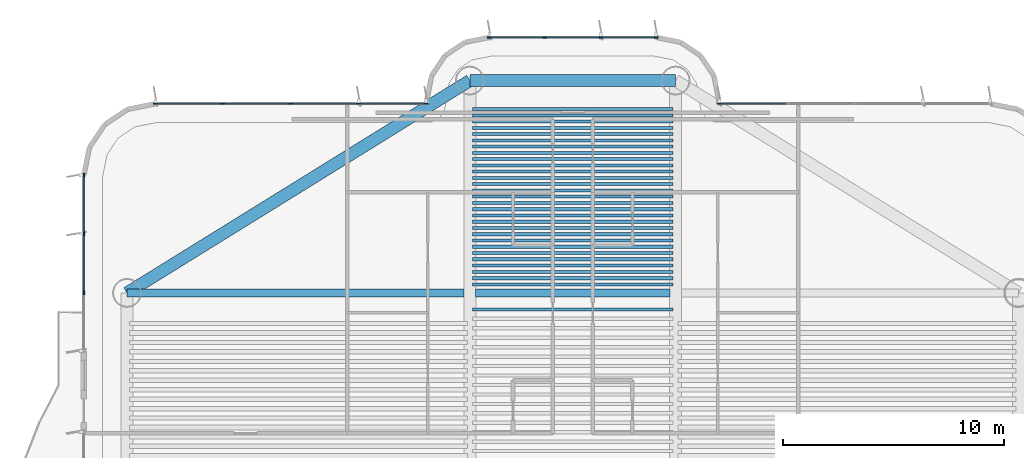
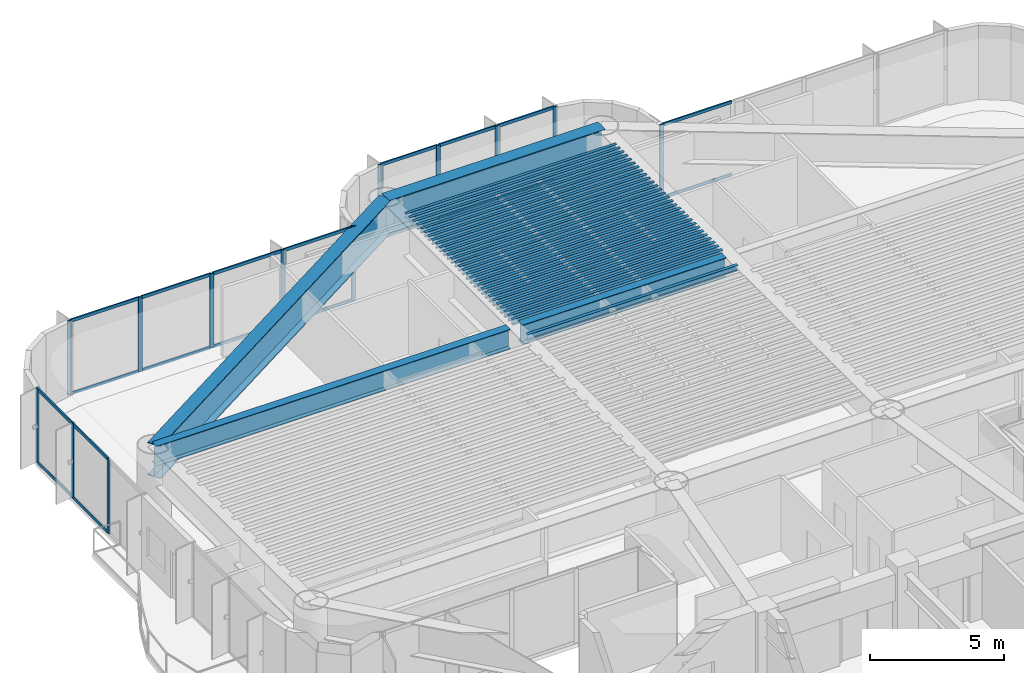
# One storey, part 5 of 15: 34 beams, 33 members, 4 elements without a shape of their own.
"""IFC4 building model written with IfcOpenShell, lengths in metres."""

from ifc_helpers import new_model, si_unit, direction, frame, origin, origin_2d, place, context, subcontext, project, spatial, rectangle, i_section, extrude, source, transform, mapped, material, layer, layer_set, material_profile, profile_set, type_object, element, aggregate, save


model = new_model("IFC4")

# Units and contexts
model_context = context("Model", 3, precision=1e-05, world=origin(), true_north=direction((0.0, 1.0)))
body_context = subcontext(model_context, "Body", "Model", "MODEL_VIEW")
ifc_project = project(units=[si_unit("LENGTHUNIT", "METRE"), si_unit("AREAUNIT", "SQUARE_METRE"), si_unit("VOLUMEUNIT", "CUBIC_METRE"), si_unit("PLANEANGLEUNIT", "RADIAN"), si_unit("MASSUNIT", "GRAM", prefix="KILO")], contexts=[model_context])

# Site, building, storey
site_placement = place(None, origin())
site = spatial("IfcSite", under=ifc_project, at=site_placement, CompositionType="ELEMENT")
building_placement = place(site_placement, origin())
building = spatial("IfcBuilding", under=site, at=building_placement, Name="Brelvock Crest Care Tower", CompositionType="ELEMENT")
storey_placement = place(building_placement, frame((0.0, 0.0, 142.739990234375)))
storey = spatial("IfcBuildingStorey", under=building, at=storey_placement, Name="L36", CompositionType="ELEMENT", Elevation=142.739990234375)

# Beams
ifc_material_1 = material(Name="Steel Grade 350", Category="steel")
ifc_material_profile_1 = material_profile(ifc_material_1, i_section(OverallWidth=0.14599609375, OverallDepth=0.256103515625, WebThickness=0.00634765625, FlangeThickness=0.010986328125, FilletRadius=0.0087890625, at=origin_2d()), Name="250UB37.3")
ifc_profile_set_1 = profile_set([ifc_material_profile_1], Name="Steel Grade 350")
beam_type_1 = type_object("IfcBeamType", Name="BM-J3", PredefinedType="JOIST", material=ifc_profile_set_1)
shared_shape_1 = source(origin(), body_context, "Body", "SweptSolid", [
    extrude(i_section(OverallWidth=0.14599609375, OverallDepth=0.256103515625, WebThickness=0.00634765625, FlangeThickness=0.010986328125, FilletRadius=0.0087890625, at=origin_2d()), origin(), (0.0, 0.0, 1.0), 9.06982421875),
])
for number, where, z_axis, x_axis, name in (
    (1, (31.465087890625, 38.10400390625, 3.243896484375), (1.0, 0.0, 0.0), (0.0, 1.0, 0.0), "BM-JH-L36-25"),
    (2, (31.465087890625, 39.23388671875, 3.243896484375), (1.0, 0.0, 0.0), (0.0, 1.0, 0.0), "BM-JN-L36-1"),
    (3, (31.465087890625, 39.51708984375, 3.243896484375), (1.0, 0.0, 0.0), (0.0, 1.0, 0.0), "BM-JN-L36-2"),
    (4, (31.465087890625, 39.80029296875, 3.243896484375), (1.0, 0.0, 0.0), (0.0, 1.0, 0.0), "BM-JN-L36-3"),
    (5, (31.465087890625, 40.08349609375, 3.243896484375), (1.0, 0.0, 0.0), (0.0, 1.0, 0.0), "BM-JN-L36-4"),
    (6, (31.465087890625, 40.36669921875, 3.243896484375), (1.0, 0.0, 0.0), (0.0, 1.0, 0.0), "BM-JN-L36-5"),
    (7, (31.465087890625, 40.64990234375, 3.243896484375), (1.0, 0.0, 0.0), (0.0, 1.0, 0.0), "BM-JN-L36-6"),
    (8, (31.465087890625, 40.93310546875, 3.243896484375), (1.0, 0.0, 0.0), (0.0, 1.0, 0.0), "BM-JN-L36-7"),
    (9, (31.465087890625, 41.21630859375, 3.243896484375), (1.0, 0.0, 0.0), (0.0, 1.0, 0.0), "BM-JN-L36-8"),
    (10, (31.465087890625, 41.49951171875, 3.243896484375), (1.0, 0.0, 0.0), (0.0, 1.0, 0.0), "BM-JN-L36-9"),
    (11, (31.465087890625, 41.78271484375, 3.243896484375), (1.0, 0.0, 0.0), (0.0, 1.0, 0.0), "BM-JN-L36-10"),
    (12, (31.465087890625, 42.06591796875, 3.243896484375), (1.0, 0.0, 0.0), (0.0, 1.0, 0.0), "BM-JN-L36-11"),
    (13, (31.465087890625, 42.34912109375, 3.243896484375), (1.0, 0.0, 0.0), (0.0, 1.0, 0.0), "BM-JN-L36-12"),
    (14, (31.465087890625, 42.63232421875, 3.243896484375), (1.0, 0.0, 0.0), (0.0, 1.0, 0.0), "BM-JN-L36-13"),
):
    element("IfcBeam", number, at=place(storey_placement, frame(where, z_axis=z_axis, x_axis=x_axis)), inside=storey, type_object=beam_type_1, Name=name, PredefinedType="JOIST", context=body_context, shape_type="MappedRepresentation", body=[
        mapped(shared_shape_1, transform((0.0, 0.0, 0.0), x_axis=(1.0, 0.0, 0.0), y_axis=(0.0, 1.0, 0.0), z_axis=(0.0, 0.0, 1.0), scale=1.0)),
    ])
ifc_material_profile_2 = material_profile(ifc_material_1, i_section(OverallWidth=0.134033203125, OverallDepth=0.20703125, WebThickness=0.00634765625, FlangeThickness=0.009521484375, FilletRadius=0.0087890625, at=origin_2d()), Name="200UB29.8")
ifc_profile_set_2 = profile_set([ifc_material_profile_2], Name="Steel Grade 350")
beam_type_2 = type_object("IfcBeamType", Name="BM-J4", PredefinedType="JOIST", material=ifc_profile_set_2)
shared_shape_2 = source(origin(), body_context, "Body", "SweptSolid", [
    extrude(i_section(OverallWidth=0.134033203125, OverallDepth=0.20703125, WebThickness=0.00634765625, FlangeThickness=0.009521484375, FilletRadius=0.0087890625, at=origin_2d()), origin(), (0.0, 0.0, 1.0), 9.06982421875),
])
for number, where, z_axis, x_axis, name in (
    (15, (31.465087890625, 42.91552734375, 3.2685546875), (1.0, 0.0, 0.0), (0.0, 1.0, 0.0), "BM-JN-L36-14"),
    (16, (31.465087890625, 43.19873046875, 3.2685546875), (1.0, 0.0, 0.0), (0.0, 1.0, 0.0), "BM-JN-L36-15"),
    (17, (31.465087890625, 43.48193359375, 3.2685546875), (1.0, 0.0, 0.0), (0.0, 1.0, 0.0), "BM-JN-L36-16"),
    (18, (31.465087890625, 43.76513671875, 3.2685546875), (1.0, 0.0, 0.0), (0.0, 1.0, 0.0), "BM-JN-L36-17"),
    (19, (31.465087890625, 44.04833984375, 3.2685546875), (1.0, 0.0, 0.0), (0.0, 1.0, 0.0), "BM-JN-L36-18"),
    (20, (31.465087890625, 44.33154296875, 3.2685546875), (1.0, 0.0, 0.0), (0.0, 1.0, 0.0), "BM-JN-L36-19"),
    (21, (31.465087890625, 44.61474609375, 3.2685546875), (1.0, 0.0, 0.0), (0.0, 1.0, 0.0), "BM-JN-L36-20"),
    (22, (31.465087890625, 44.89794921875, 3.2685546875), (1.0, 0.0, 0.0), (0.0, 1.0, 0.0), "BM-JN-L36-21"),
    (23, (31.465087890625, 45.18115234375, 3.2685546875), (1.0, 0.0, 0.0), (0.0, 1.0, 0.0), "BM-JN-L36-22"),
    (24, (31.465087890625, 45.46435546875, 3.2685546875), (1.0, 0.0, 0.0), (0.0, 1.0, 0.0), "BM-JN-L36-23"),
    (25, (31.465087890625, 45.74755859375, 3.2685546875), (1.0, 0.0, 0.0), (0.0, 1.0, 0.0), "BM-JN-L36-24"),
    (26, (31.465087890625, 46.03076171875, 3.2685546875), (1.0, 0.0, 0.0), (0.0, 1.0, 0.0), "BM-JN-L36-25"),
    (27, (31.465087890625, 46.31396484375, 3.2685546875), (1.0, 0.0, 0.0), (0.0, 1.0, 0.0), "BM-JN-L36-26"),
    (28, (31.465087890625, 46.59716796875, 3.2685546875), (1.0, 0.0, 0.0), (0.0, 1.0, 0.0), "BM-JN-L36-27"),
    (29, (31.465087890625, 46.88037109375, 3.2685546875), (1.0, 0.0, 0.0), (0.0, 1.0, 0.0), "BM-JN-L36-28"),
    (30, (31.465087890625, 47.16357421875, 3.2685546875), (1.0, 0.0, 0.0), (0.0, 1.0, 0.0), "BM-JN-L36-29"),
):
    element("IfcBeam", number, at=place(storey_placement, frame(where, z_axis=z_axis, x_axis=x_axis)), inside=storey, type_object=beam_type_2, Name=name, PredefinedType="JOIST", context=body_context, shape_type="MappedRepresentation", body=[
        mapped(shared_shape_2, transform((0.0, 0.0, 0.0), x_axis=(1.0, 0.0, 0.0), y_axis=(0.0, 1.0, 0.0), z_axis=(0.0, 0.0, 1.0), scale=1.0)),
    ])
ifc_material_profile_3 = material_profile(ifc_material_1, i_section(OverallWidth=0.550048828125, OverallDepth=1.5, WebThickness=0.02392578125, FlangeThickness=0.044921875, at=origin_2d()), Name="1500TG580")
ifc_profile_set_3 = profile_set([ifc_material_profile_3], Name="Steel Grade 350")
beam_type_3 = type_object("IfcBeamType", Name="BM-TG2", PredefinedType="USERDEFINED", material=ifc_profile_set_3)
shared_shape_3 = source(origin(), body_context, "Body", "SweptSolid", [
    extrude(i_section(OverallWidth=0.550048828125, OverallDepth=1.5, WebThickness=0.02392578125, FlangeThickness=0.044921875, at=origin_2d()), origin(), (0.0, 0.0, 1.0), 9.2998046875),
])
beam_1_placement = place(storey_placement, frame((31.35009765625, 48.449951171875, 2.6220703125), z_axis=(1.0, 0.0, 0.0), x_axis=(0.0, 1.0, 0.0)))
element("IfcBeam", 31, at=beam_1_placement, inside=storey, type_object=beam_type_3, Name="BM-TWR-L36-08", ObjectType="GIRDER", PredefinedType="USERDEFINED", context=body_context, shape_type="MappedRepresentation", body=[
    mapped(shared_shape_3, transform((0.0, 0.0, 0.0), x_axis=(1.0, 0.0, 0.0), y_axis=(0.0, 1.0, 0.0), z_axis=(0.0, 0.0, 1.0), scale=1.0)),
])
ifc_material_profile_4 = material_profile(ifc_material_1, i_section(OverallWidth=0.35009765625, OverallDepth=0.89990234375, WebThickness=0.01611328125, FlangeThickness=0.028076171875, at=origin_2d()), Name="900WB257")
ifc_profile_set_4 = profile_set([ifc_material_profile_4], Name="Steel Grade 350")
beam_type_4 = type_object("IfcBeamType", Name="BM-G6", PredefinedType="BEAM", material=ifc_profile_set_4)
shared_shape_4 = source(origin(), body_context, "Body", "SweptSolid", [
    extrude(i_section(OverallWidth=0.35009765625, OverallDepth=0.89990234375, WebThickness=0.01611328125, FlangeThickness=0.028076171875, at=origin_2d()), origin(), (0.0, 0.0, 1.0), 8.77978515625),
])
beam_2_placement = place(storey_placement, frame((31.610107421875, 38.85009765625, 2.922119140625), z_axis=(1.0, 0.0, 0.0), x_axis=(0.0, 1.0, 0.0)))
element("IfcBeam", 32, at=beam_2_placement, inside=storey, type_object=beam_type_4, Name="BM-TIE-L36-C", PredefinedType="BEAM", context=body_context, shape_type="MappedRepresentation", body=[
    mapped(shared_shape_4, transform((0.0, 0.0, 0.0), x_axis=(1.0, 0.0, 0.0), y_axis=(0.0, 1.0, 0.0), z_axis=(0.0, 0.0, 1.0), scale=1.0)),
])
shared_shape_5 = source(origin(), body_context, "Body", "SweptSolid", [
    extrude(i_section(OverallWidth=0.35009765625, OverallDepth=0.89990234375, WebThickness=0.01611328125, FlangeThickness=0.028076171875, at=origin_2d()), origin(), (0.0, 0.0, 1.0), 15.239990234375),
])
beam_3_placement = place(storey_placement, frame((15.85009765625, 38.85009765625, 2.922119140625), z_axis=(1.0, 0.0, 0.0), x_axis=(0.0, 1.0, 0.0)))
element("IfcBeam", 33, at=beam_3_placement, inside=storey, type_object=beam_type_4, Name="BM-TIE-L36-W", PredefinedType="BEAM", context=body_context, shape_type="MappedRepresentation", body=[
    mapped(shared_shape_5, transform((0.0, 0.0, 0.0), x_axis=(1.0, 0.0, 0.0), y_axis=(0.0, 1.0, 0.0), z_axis=(0.0, 0.0, 1.0), scale=1.0)),
])
shared_shape_6 = source(origin(), body_context, "Body", "SweptSolid", [
    extrude(i_section(OverallWidth=0.550048828125, OverallDepth=1.5, WebThickness=0.02392578125, FlangeThickness=0.044921875, at=origin_2d()), origin(), (0.0, 0.0, 1.0), 18.23193359375),
])
beam_4_placement = place(storey_placement, frame((15.85009765625, 38.85009765625, 2.6220703125), z_axis=(0.85015183248, 0.526537616635, 0.0), x_axis=(-0.526537616635, 0.85015183248, 0.0)))
element("IfcBeam", 34, at=beam_4_placement, inside=storey, type_object=beam_type_3, Name="BM-TWR-L36-06", ObjectType="GIRDER", PredefinedType="USERDEFINED", context=body_context, shape_type="MappedRepresentation", body=[
    mapped(shared_shape_6, transform((0.0, 0.0, 0.0), x_axis=(1.0, 0.0, 0.0), y_axis=(0.0, 1.0, 0.0), z_axis=(0.0, 0.0, 1.0), scale=1.0)),
])

# Curtain wall, members
ifc_material_2 = material(Name="Dark Glass Double Glazed Low-E", Category="glass")
ifc_layer = layer(ifc_material_2, 0.2099609375, Name="CWS-3")
ifc_layer_set = layer_set([ifc_layer], Name="Dark Glass Double Glazed Low-E")
curtain_wall_type = type_object("IfcCurtainWallType", Name="CWS-3", PredefinedType="NOTDEFINED", material=ifc_layer_set)
curtain_wall_1_placement = place(storey_placement, origin())
curtain_wall_1 = element("IfcCurtainWall", 35, at=curtain_wall_1_placement, inside=storey, type_object=curtain_wall_type, Name="L36 Curtain Wall E22", PredefinedType="NOTDEFINED")
ifc_material_3 = material(Name="Aluminium 6063-T6", Category="aluminium")
ifc_material_profile_5 = material_profile(ifc_material_3, rectangle(XDim=0.06005859375, YDim=0.139892578125, at=origin_2d()), Name="ALU60x140")
ifc_profile_set_5 = profile_set([ifc_material_profile_5], Name="Aluminium 6063-T6")
member_type_1 = type_object("IfcMemberType", Name="CWT-2", PredefinedType="USERDEFINED", material=ifc_profile_set_5)
shared_shape_7 = source(origin(), body_context, "Body", "SweptSolid", [
    extrude(rectangle(XDim=0.06005859375, YDim=0.139892578125, at=origin_2d()), origin(), (0.0, 0.0, 1.0), 2.985107421875),
])
member_1_placement = place(storey_placement, frame((17.159912109375, 47.39990234375, 0.030029296875), z_axis=(1.0, 0.0, 0.0), x_axis=(0.0, 1.0, 0.0)))
member_1 = element("IfcMember", 36, at=member_1_placement, type_object=member_type_1, Name="CW-3 transom 1.1", ObjectType="TRANSOM", PredefinedType="USERDEFINED", context=body_context, shape_type="MappedRepresentation", body=[
    mapped(shared_shape_7, transform((0.0, 0.0, 0.0), x_axis=(1.0, 0.0, 0.0), y_axis=(0.0, 1.0, 0.0), z_axis=(0.0, 0.0, 1.0), scale=1.0)),
])
member_2_placement = place(storey_placement, frame((17.159912109375, 47.39990234375, 3.342041015625), z_axis=(1.0, 0.0, 0.0), x_axis=(0.0, 1.0, 0.0)))
member_2 = element("IfcMember", 37, at=member_2_placement, type_object=member_type_1, Name="CW-3 transom 1.2", ObjectType="TRANSOM", PredefinedType="USERDEFINED", context=body_context, shape_type="MappedRepresentation", body=[
    mapped(shared_shape_7, transform((0.0, 0.0, 0.0), x_axis=(1.0, 0.0, 0.0), y_axis=(0.0, 1.0, 0.0), z_axis=(0.0, 0.0, 1.0), scale=1.0)),
])
member_3_placement = place(storey_placement, frame((26.35498046875, 47.39990234375, 0.030029296875), z_axis=(1.0, 0.0, 0.0), x_axis=(0.0, 1.0, 0.0)))
member_3 = element("IfcMember", 38, at=member_3_placement, type_object=member_type_1, Name="CW-3 transom 4.1", ObjectType="TRANSOM", PredefinedType="USERDEFINED", context=body_context, shape_type="MappedRepresentation", body=[
    mapped(shared_shape_7, transform((0.0, 0.0, 0.0), x_axis=(1.0, 0.0, 0.0), y_axis=(0.0, 1.0, 0.0), z_axis=(0.0, 0.0, 1.0), scale=1.0)),
])
member_4_placement = place(storey_placement, frame((26.35498046875, 47.39990234375, 3.342041015625), z_axis=(1.0, 0.0, 0.0), x_axis=(0.0, 1.0, 0.0)))
member_4 = element("IfcMember", 39, at=member_4_placement, type_object=member_type_1, Name="CW-3 transom 4.2", ObjectType="TRANSOM", PredefinedType="USERDEFINED", context=body_context, shape_type="MappedRepresentation", body=[
    mapped(shared_shape_7, transform((0.0, 0.0, 0.0), x_axis=(1.0, 0.0, 0.0), y_axis=(0.0, 1.0, 0.0), z_axis=(0.0, 0.0, 1.0), scale=1.0)),
])

curtain_wall_2_placement = place(storey_placement, origin())
curtain_wall_2 = element("IfcCurtainWall", 40, at=curtain_wall_2_placement, inside=storey, type_object=curtain_wall_type, Name="L36 Curtain Wall E34", PredefinedType="NOTDEFINED")
member_5_placement = place(storey_placement, frame((42.659912109375, 47.39990234375, 0.030029296875), z_axis=(1.0, 0.0, 0.0), x_axis=(0.0, 1.0, 0.0)))
member_5 = element("IfcMember", 41, at=member_5_placement, type_object=member_type_1, Name="CW-3 transom 1.1", ObjectType="TRANSOM", PredefinedType="USERDEFINED", context=body_context, shape_type="MappedRepresentation", body=[
    mapped(shared_shape_7, transform((0.0, 0.0, 0.0), x_axis=(1.0, 0.0, 0.0), y_axis=(0.0, 1.0, 0.0), z_axis=(0.0, 0.0, 1.0), scale=1.0)),
])
member_6_placement = place(storey_placement, frame((42.659912109375, 47.39990234375, 3.342041015625), z_axis=(1.0, 0.0, 0.0), x_axis=(0.0, 1.0, 0.0)))
member_6 = element("IfcMember", 42, at=member_6_placement, type_object=member_type_1, Name="CW-3 transom 1.2", ObjectType="TRANSOM", PredefinedType="USERDEFINED", context=body_context, shape_type="MappedRepresentation", body=[
    mapped(shared_shape_7, transform((0.0, 0.0, 0.0), x_axis=(1.0, 0.0, 0.0), y_axis=(0.0, 1.0, 0.0), z_axis=(0.0, 0.0, 1.0), scale=1.0)),
])

# Member
shared_shape_8 = source(origin(), body_context, "Body", "SweptSolid", [
    extrude(rectangle(XDim=0.06005859375, YDim=0.139892578125, at=origin_2d()), origin(), (0.0, 0.0, 1.0), 3.014892578125),
])
member_7_placement = place(storey_placement, frame((20.205078125, 47.39990234375, 0.030029296875), z_axis=(1.0, 0.0, 0.0), x_axis=(0.0, 1.0, 0.0)))
member_7 = element("IfcMember", 43, at=member_7_placement, type_object=member_type_1, Name="CW-3 transom 2.1", ObjectType="TRANSOM", PredefinedType="USERDEFINED", context=body_context, shape_type="MappedRepresentation", body=[
    mapped(shared_shape_8, transform((0.0, 0.0, 0.0), x_axis=(1.0, 0.0, 0.0), y_axis=(0.0, 1.0, 0.0), z_axis=(0.0, 0.0, 1.0), scale=1.0)),
])

member_8_placement = place(storey_placement, frame((20.205078125, 47.39990234375, 3.342041015625), z_axis=(1.0, 0.0, 0.0), x_axis=(0.0, 1.0, 0.0)))
member_8 = element("IfcMember", 44, at=member_8_placement, type_object=member_type_1, Name="CW-3 transom 2.2", ObjectType="TRANSOM", PredefinedType="USERDEFINED", context=body_context, shape_type="MappedRepresentation", body=[
    mapped(shared_shape_8, transform((0.0, 0.0, 0.0), x_axis=(1.0, 0.0, 0.0), y_axis=(0.0, 1.0, 0.0), z_axis=(0.0, 0.0, 1.0), scale=1.0)),
])

member_9_placement = place(storey_placement, frame((23.280029296875, 47.39990234375, 0.030029296875), z_axis=(1.0, 0.0, 0.0), x_axis=(0.0, 1.0, 0.0)))
member_9 = element("IfcMember", 45, at=member_9_placement, type_object=member_type_1, Name="CW-3 transom 3.1", ObjectType="TRANSOM", PredefinedType="USERDEFINED", context=body_context, shape_type="MappedRepresentation", body=[
    mapped(shared_shape_8, transform((0.0, 0.0, 0.0), x_axis=(1.0, 0.0, 0.0), y_axis=(0.0, 1.0, 0.0), z_axis=(0.0, 0.0, 1.0), scale=1.0)),
])

member_10_placement = place(storey_placement, frame((23.280029296875, 47.39990234375, 3.342041015625), z_axis=(1.0, 0.0, 0.0), x_axis=(0.0, 1.0, 0.0)))
member_10 = element("IfcMember", 46, at=member_10_placement, type_object=member_type_1, Name="CW-3 transom 3.2", ObjectType="TRANSOM", PredefinedType="USERDEFINED", context=body_context, shape_type="MappedRepresentation", body=[
    mapped(shared_shape_8, transform((0.0, 0.0, 0.0), x_axis=(1.0, 0.0, 0.0), y_axis=(0.0, 1.0, 0.0), z_axis=(0.0, 0.0, 1.0), scale=1.0)),
])

# Curtain wall, members
curtain_wall_3_placement = place(storey_placement, origin())
curtain_wall_3 = element("IfcCurtainWall", 47, at=curtain_wall_3_placement, inside=storey, type_object=curtain_wall_type, Name="L36 Curtain Wall E28", PredefinedType="NOTDEFINED")
shared_shape_9 = source(origin(), body_context, "Body", "SweptSolid", [
    extrude(rectangle(XDim=0.06005859375, YDim=0.139892578125, at=origin_2d()), origin(), (0.0, 0.0, 1.0), 2.443359375),
])
member_11_placement = place(storey_placement, frame((32.260009765625, 50.39990234375, 0.030029296875), z_axis=(1.0, 0.0, 0.0), x_axis=(0.0, 1.0, 0.0)))
member_11 = element("IfcMember", 48, at=member_11_placement, type_object=member_type_1, Name="CW-3 transom 1.1", ObjectType="TRANSOM", PredefinedType="USERDEFINED", context=body_context, shape_type="MappedRepresentation", body=[
    mapped(shared_shape_9, transform((0.0, 0.0, 0.0), x_axis=(1.0, 0.0, 0.0), y_axis=(0.0, 1.0, 0.0), z_axis=(0.0, 0.0, 1.0), scale=1.0)),
])
member_12_placement = place(storey_placement, frame((32.260009765625, 50.39990234375, 3.342041015625), z_axis=(1.0, 0.0, 0.0), x_axis=(0.0, 1.0, 0.0)))
member_12 = element("IfcMember", 49, at=member_12_placement, type_object=member_type_1, Name="CW-3 transom 1.2", ObjectType="TRANSOM", PredefinedType="USERDEFINED", context=body_context, shape_type="MappedRepresentation", body=[
    mapped(shared_shape_9, transform((0.0, 0.0, 0.0), x_axis=(1.0, 0.0, 0.0), y_axis=(0.0, 1.0, 0.0), z_axis=(0.0, 0.0, 1.0), scale=1.0)),
])
member_13_placement = place(storey_placement, frame((37.296630859375, 50.39990234375, 0.030029296875), z_axis=(1.0, 0.0, 0.0), x_axis=(0.0, 1.0, 0.0)))
member_13 = element("IfcMember", 50, at=member_13_placement, type_object=member_type_1, Name="CW-3 transom 3.1", ObjectType="TRANSOM", PredefinedType="USERDEFINED", context=body_context, shape_type="MappedRepresentation", body=[
    mapped(shared_shape_9, transform((0.0, 0.0, 0.0), x_axis=(1.0, 0.0, 0.0), y_axis=(0.0, 1.0, 0.0), z_axis=(0.0, 0.0, 1.0), scale=1.0)),
])
member_14_placement = place(storey_placement, frame((37.296630859375, 50.39990234375, 3.342041015625), z_axis=(1.0, 0.0, 0.0), x_axis=(0.0, 1.0, 0.0)))
member_14 = element("IfcMember", 51, at=member_14_placement, type_object=member_type_1, Name="CW-3 transom 3.2", ObjectType="TRANSOM", PredefinedType="USERDEFINED", context=body_context, shape_type="MappedRepresentation", body=[
    mapped(shared_shape_9, transform((0.0, 0.0, 0.0), x_axis=(1.0, 0.0, 0.0), y_axis=(0.0, 1.0, 0.0), z_axis=(0.0, 0.0, 1.0), scale=1.0)),
])
shared_shape_10 = source(origin(), body_context, "Body", "SweptSolid", [
    extrude(rectangle(XDim=0.06005859375, YDim=0.139892578125, at=origin_2d()), origin(), (0.0, 0.0, 1.0), 2.47314453125),
])
member_15_placement = place(storey_placement, frame((34.763427734375, 50.39990234375, 0.030029296875), z_axis=(1.0, 0.0, 0.0), x_axis=(0.0, 1.0, 0.0)))
member_15 = element("IfcMember", 52, at=member_15_placement, type_object=member_type_1, Name="CW-3 transom 2.1", ObjectType="TRANSOM", PredefinedType="USERDEFINED", context=body_context, shape_type="MappedRepresentation", body=[
    mapped(shared_shape_10, transform((0.0, 0.0, 0.0), x_axis=(1.0, 0.0, 0.0), y_axis=(0.0, 1.0, 0.0), z_axis=(0.0, 0.0, 1.0), scale=1.0)),
])
member_16_placement = place(storey_placement, frame((34.763427734375, 50.39990234375, 3.342041015625), z_axis=(1.0, 0.0, 0.0), x_axis=(0.0, 1.0, 0.0)))
member_16 = element("IfcMember", 53, at=member_16_placement, type_object=member_type_1, Name="CW-3 transom 2.2", ObjectType="TRANSOM", PredefinedType="USERDEFINED", context=body_context, shape_type="MappedRepresentation", body=[
    mapped(shared_shape_10, transform((0.0, 0.0, 0.0), x_axis=(1.0, 0.0, 0.0), y_axis=(0.0, 1.0, 0.0), z_axis=(0.0, 0.0, 1.0), scale=1.0)),
])

curtain_wall_4_placement = place(storey_placement, origin())
curtain_wall_4 = element("IfcCurtainWall", 54, at=curtain_wall_4_placement, inside=storey, type_object=curtain_wall_type, Name="L36 Curtain Wall E17B", PredefinedType="NOTDEFINED")
shared_shape_11 = source(origin(), body_context, "Body", "SweptSolid", [
    extrude(rectangle(XDim=0.06005859375, YDim=0.139892578125, at=origin_2d()), origin(), (0.0, 0.0, 1.0), 2.57666015625),
])
member_17_placement = place(storey_placement, frame((13.89990234375, 41.563232421875, 0.030029296875), z_axis=(0.0, 1.0, 0.0), x_axis=(-1.0, 0.0, 0.0)))
member_17 = element("IfcMember", 55, at=member_17_placement, type_object=member_type_1, Name="CW-3 transom 3.1", ObjectType="TRANSOM", PredefinedType="USERDEFINED", context=body_context, shape_type="MappedRepresentation", body=[
    mapped(shared_shape_11, transform((0.0, 0.0, 0.0), x_axis=(1.0, 0.0, 0.0), y_axis=(0.0, 1.0, 0.0), z_axis=(0.0, 0.0, 1.0), scale=1.0)),
])
member_18_placement = place(storey_placement, frame((13.89990234375, 41.563232421875, 3.342041015625), z_axis=(0.0, 1.0, 0.0), x_axis=(-1.0, 0.0, 0.0)))
member_18 = element("IfcMember", 56, at=member_18_placement, type_object=member_type_1, Name="CW-3 transom 3.2", ObjectType="TRANSOM", PredefinedType="USERDEFINED", context=body_context, shape_type="MappedRepresentation", body=[
    mapped(shared_shape_11, transform((0.0, 0.0, 0.0), x_axis=(1.0, 0.0, 0.0), y_axis=(0.0, 1.0, 0.0), z_axis=(0.0, 0.0, 1.0), scale=1.0)),
])
shared_shape_12 = source(origin(), body_context, "Body", "SweptSolid", [
    extrude(rectangle(XDim=0.06005859375, YDim=0.139892578125, at=origin_2d()), origin(), (0.0, 0.0, 1.0), 2.606689453125),
])
member_19_placement = place(storey_placement, frame((13.89990234375, 38.896728515625, 0.030029296875), z_axis=(0.0, 1.0, 0.0), x_axis=(-1.0, 0.0, 0.0)))
member_19 = element("IfcMember", 57, at=member_19_placement, type_object=member_type_1, Name="CW-3 transom 2.1", ObjectType="TRANSOM", PredefinedType="USERDEFINED", context=body_context, shape_type="MappedRepresentation", body=[
    mapped(shared_shape_12, transform((0.0, 0.0, 0.0), x_axis=(1.0, 0.0, 0.0), y_axis=(0.0, 1.0, 0.0), z_axis=(0.0, 0.0, 1.0), scale=1.0)),
])
member_20_placement = place(storey_placement, frame((13.89990234375, 38.896728515625, 3.342041015625), z_axis=(0.0, 1.0, 0.0), x_axis=(-1.0, 0.0, 0.0)))
member_20 = element("IfcMember", 58, at=member_20_placement, type_object=member_type_1, Name="CW-3 transom 2.2", ObjectType="TRANSOM", PredefinedType="USERDEFINED", context=body_context, shape_type="MappedRepresentation", body=[
    mapped(shared_shape_12, transform((0.0, 0.0, 0.0), x_axis=(1.0, 0.0, 0.0), y_axis=(0.0, 1.0, 0.0), z_axis=(0.0, 0.0, 1.0), scale=1.0)),
])
ifc_material_profile_6 = material_profile(ifc_material_3, rectangle(XDim=0.06005859375, YDim=0.179931640625, at=origin_2d()), Name="ALU60x180")
ifc_profile_set_6 = profile_set([ifc_material_profile_6], Name="Aluminium 6063-T6")
member_type_2 = type_object("IfcMemberType", Name="CWM-2", PredefinedType="MULLION", material=ifc_profile_set_6)
shared_shape_13 = source(origin(), body_context, "Body", "SweptSolid", [
    extrude(rectangle(XDim=0.06005859375, YDim=0.179931640625, at=origin_2d()), origin(), (0.0, 0.0, 1.0), 3.3720703125),
])
member_21_placement = place(storey_placement, frame((13.89990234375, 38.86669921875, 0.0), z_axis=(0.0, 0.0, 1.0), x_axis=(-1.0, 0.0, 0.0)))
member_21 = element("IfcMember", 59, at=member_21_placement, type_object=member_type_2, Name="CW-3 mullion 2", PredefinedType="MULLION", context=body_context, shape_type="MappedRepresentation", body=[
    mapped(shared_shape_13, transform((0.0, 0.0, 0.0), x_axis=(1.0, 0.0, 0.0), y_axis=(0.0, 1.0, 0.0), z_axis=(0.0, 0.0, 1.0), scale=1.0)),
])
member_22_placement = place(storey_placement, frame((13.89990234375, 41.533447265625, 0.0), z_axis=(0.0, 0.0, 1.0), x_axis=(-1.0, 0.0, 0.0)))
member_22 = element("IfcMember", 60, at=member_22_placement, type_object=member_type_2, Name="CW-3 mullion 3", PredefinedType="MULLION", context=body_context, shape_type="MappedRepresentation", body=[
    mapped(shared_shape_13, transform((0.0, 0.0, 0.0), x_axis=(1.0, 0.0, 0.0), y_axis=(0.0, 1.0, 0.0), z_axis=(0.0, 0.0, 1.0), scale=1.0)),
])
member_23_placement = place(storey_placement, frame((13.89990234375, 44.169921875, 0.0), z_axis=(0.0, 0.0, 1.0), x_axis=(-1.0, 0.0, 0.0)))
member_23 = element("IfcMember", 61, at=member_23_placement, type_object=member_type_2, Name="CW-3 mullion 4", PredefinedType="MULLION", context=body_context, shape_type="MappedRepresentation", body=[
    mapped(shared_shape_13, transform((0.0, 0.0, 0.0), x_axis=(1.0, 0.0, 0.0), y_axis=(0.0, 1.0, 0.0), z_axis=(0.0, 0.0, 1.0), scale=1.0)),
])
aggregate(curtain_wall_4, [member_21, member_22, member_23, member_19, member_20, member_17, member_18])

# Member
member_24_placement = place(storey_placement, frame((17.1298828125, 47.39990234375, 0.0), z_axis=(0.0, 0.0, 1.0), x_axis=(0.0, 1.0, 0.0)))
member_24 = element("IfcMember", 62, at=member_24_placement, type_object=member_type_2, Name="CW-3 mullion 1", PredefinedType="MULLION", context=body_context, shape_type="MappedRepresentation", body=[
    mapped(shared_shape_13, transform((0.0, 0.0, 0.0), x_axis=(1.0, 0.0, 0.0), y_axis=(0.0, 1.0, 0.0), z_axis=(0.0, 0.0, 1.0), scale=1.0)),
])

member_25_placement = place(storey_placement, frame((20.175048828125, 47.39990234375, 0.0), z_axis=(0.0, 0.0, 1.0), x_axis=(0.0, 1.0, 0.0)))
member_25 = element("IfcMember", 63, at=member_25_placement, type_object=member_type_2, Name="CW-3 mullion 2", PredefinedType="MULLION", context=body_context, shape_type="MappedRepresentation", body=[
    mapped(shared_shape_13, transform((0.0, 0.0, 0.0), x_axis=(1.0, 0.0, 0.0), y_axis=(0.0, 1.0, 0.0), z_axis=(0.0, 0.0, 1.0), scale=1.0)),
])

member_26_placement = place(storey_placement, frame((23.25, 47.39990234375, 0.0), z_axis=(0.0, 0.0, 1.0), x_axis=(0.0, 1.0, 0.0)))
member_26 = element("IfcMember", 64, at=member_26_placement, type_object=member_type_2, Name="CW-3 mullion 3", PredefinedType="MULLION", context=body_context, shape_type="MappedRepresentation", body=[
    mapped(shared_shape_13, transform((0.0, 0.0, 0.0), x_axis=(1.0, 0.0, 0.0), y_axis=(0.0, 1.0, 0.0), z_axis=(0.0, 0.0, 1.0), scale=1.0)),
])

member_27_placement = place(storey_placement, frame((26.324951171875, 47.39990234375, 0.0), z_axis=(0.0, 0.0, 1.0), x_axis=(0.0, 1.0, 0.0)))
member_27 = element("IfcMember", 65, at=member_27_placement, type_object=member_type_2, Name="CW-3 mullion 4", PredefinedType="MULLION", context=body_context, shape_type="MappedRepresentation", body=[
    mapped(shared_shape_13, transform((0.0, 0.0, 0.0), x_axis=(1.0, 0.0, 0.0), y_axis=(0.0, 1.0, 0.0), z_axis=(0.0, 0.0, 1.0), scale=1.0)),
])

member_28_placement = place(storey_placement, frame((29.3701171875, 47.39990234375, 0.0), z_axis=(0.0, 0.0, 1.0), x_axis=(0.0, 1.0, 0.0)))
member_28 = element("IfcMember", 66, at=member_28_placement, type_object=member_type_2, Name="CW-3 mullion 5", PredefinedType="MULLION", context=body_context, shape_type="MappedRepresentation", body=[
    mapped(shared_shape_13, transform((0.0, 0.0, 0.0), x_axis=(1.0, 0.0, 0.0), y_axis=(0.0, 1.0, 0.0), z_axis=(0.0, 0.0, 1.0), scale=1.0)),
])

aggregate(curtain_wall_1, [member_24, member_25, member_26, member_27, member_28, member_1, member_2, member_7, member_8, member_9, member_10, member_3, member_4])

member_29_placement = place(storey_placement, frame((32.22998046875, 50.39990234375, 0.0), z_axis=(0.0, 0.0, 1.0), x_axis=(0.0, 1.0, 0.0)))
member_29 = element("IfcMember", 67, at=member_29_placement, type_object=member_type_2, Name="CW-3 mullion 1", PredefinedType="MULLION", context=body_context, shape_type="MappedRepresentation", body=[
    mapped(shared_shape_13, transform((0.0, 0.0, 0.0), x_axis=(1.0, 0.0, 0.0), y_axis=(0.0, 1.0, 0.0), z_axis=(0.0, 0.0, 1.0), scale=1.0)),
])

member_30_placement = place(storey_placement, frame((34.7333984375, 50.39990234375, 0.0), z_axis=(0.0, 0.0, 1.0), x_axis=(0.0, 1.0, 0.0)))
member_30 = element("IfcMember", 68, at=member_30_placement, type_object=member_type_2, Name="CW-3 mullion 2", PredefinedType="MULLION", context=body_context, shape_type="MappedRepresentation", body=[
    mapped(shared_shape_13, transform((0.0, 0.0, 0.0), x_axis=(1.0, 0.0, 0.0), y_axis=(0.0, 1.0, 0.0), z_axis=(0.0, 0.0, 1.0), scale=1.0)),
])

member_31_placement = place(storey_placement, frame((37.2666015625, 50.39990234375, 0.0), z_axis=(0.0, 0.0, 1.0), x_axis=(0.0, 1.0, 0.0)))
member_31 = element("IfcMember", 69, at=member_31_placement, type_object=member_type_2, Name="CW-3 mullion 3", PredefinedType="MULLION", context=body_context, shape_type="MappedRepresentation", body=[
    mapped(shared_shape_13, transform((0.0, 0.0, 0.0), x_axis=(1.0, 0.0, 0.0), y_axis=(0.0, 1.0, 0.0), z_axis=(0.0, 0.0, 1.0), scale=1.0)),
])

member_32_placement = place(storey_placement, frame((39.77001953125, 50.39990234375, 0.0), z_axis=(0.0, 0.0, 1.0), x_axis=(0.0, 1.0, 0.0)))
member_32 = element("IfcMember", 70, at=member_32_placement, type_object=member_type_2, Name="CW-3 mullion 4", PredefinedType="MULLION", context=body_context, shape_type="MappedRepresentation", body=[
    mapped(shared_shape_13, transform((0.0, 0.0, 0.0), x_axis=(1.0, 0.0, 0.0), y_axis=(0.0, 1.0, 0.0), z_axis=(0.0, 0.0, 1.0), scale=1.0)),
])

aggregate(curtain_wall_3, [member_29, member_30, member_31, member_32, member_11, member_12, member_15, member_16, member_13, member_14])

member_33_placement = place(storey_placement, frame((42.6298828125, 47.39990234375, 0.0), z_axis=(0.0, 0.0, 1.0), x_axis=(0.0, 1.0, 0.0)))
member_33 = element("IfcMember", 71, at=member_33_placement, type_object=member_type_2, Name="CW-3 mullion 1", PredefinedType="MULLION", context=body_context, shape_type="MappedRepresentation", body=[
    mapped(shared_shape_13, transform((0.0, 0.0, 0.0), x_axis=(1.0, 0.0, 0.0), y_axis=(0.0, 1.0, 0.0), z_axis=(0.0, 0.0, 1.0), scale=1.0)),
])

aggregate(curtain_wall_2, [member_33, member_5, member_6])

save(model, "model.ifc")
